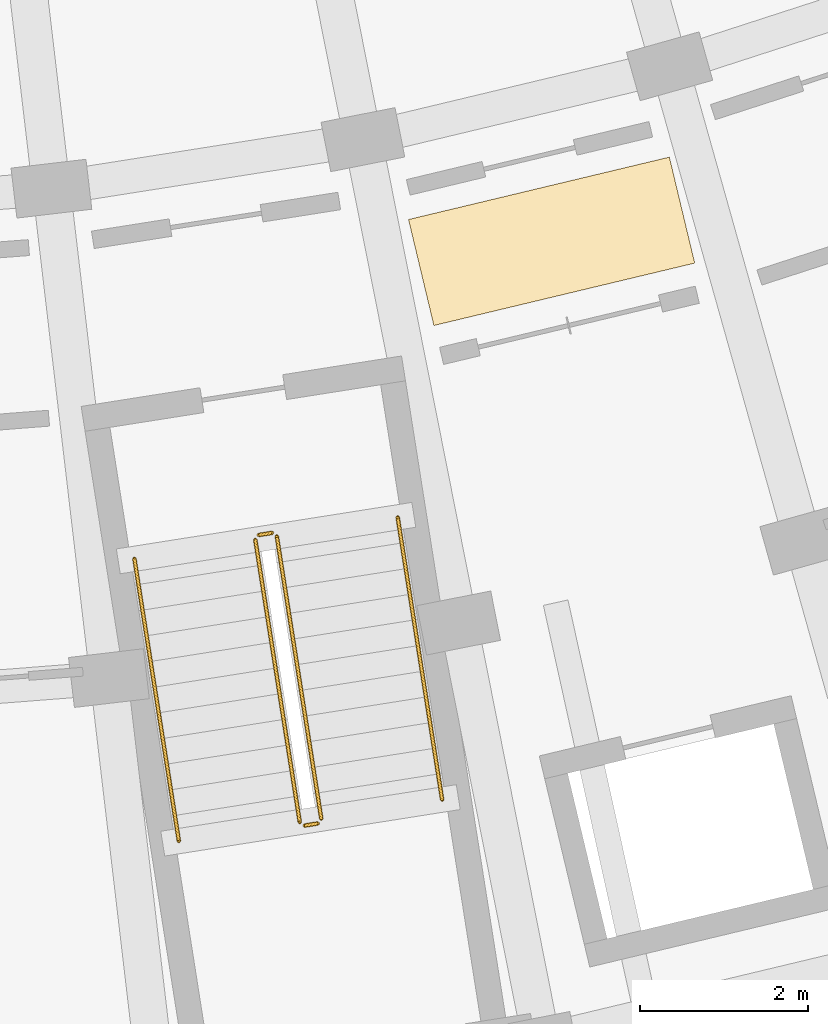
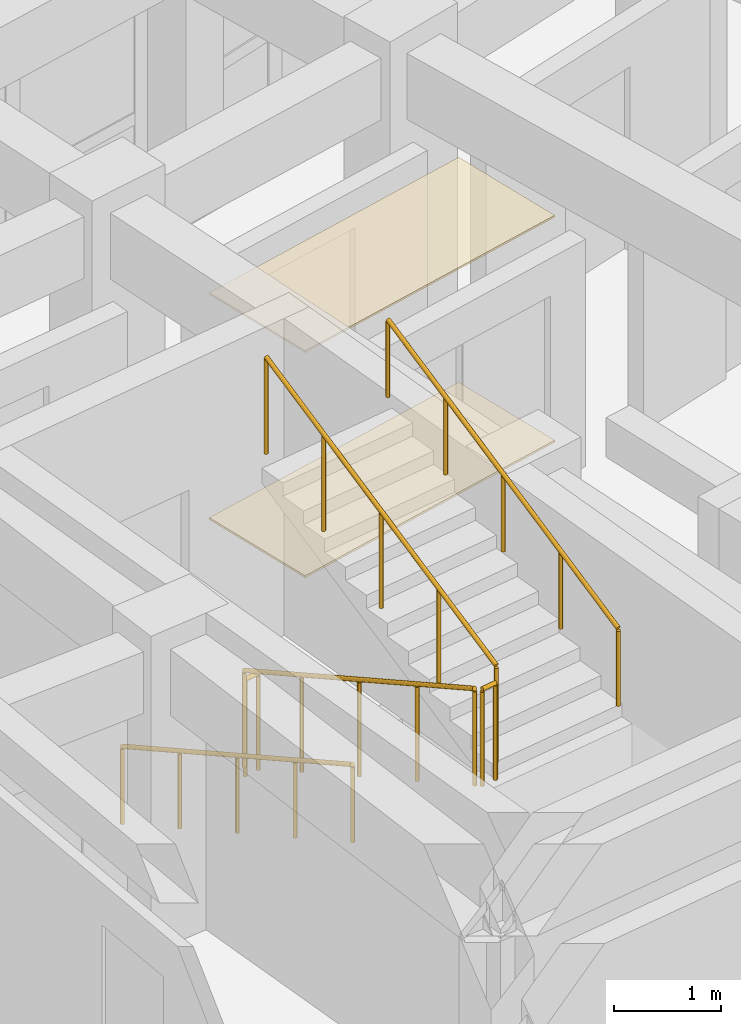
# One storey, part 81 of 83: 6 railings, 2 coverings.
"""IFC4 building model written with IfcOpenShell, lengths in metres."""

from ifc_helpers import new_model, si_unit, direction, frame, origin, origin_2d, place, context, subcontext, project, spatial, rectangle, circle, extrude, material, layer, layer_set, type_object, element, save


model = new_model("IFC4")

# Units and contexts
model_context = context("Model", 3, precision=1e-05, world=origin(), true_north=direction((0.0, 1.0)))
body_context = subcontext(model_context, "Body", "Model", "MODEL_VIEW")
ifc_project = project(units=[si_unit("LENGTHUNIT", "METRE"), si_unit("AREAUNIT", "SQUARE_METRE"), si_unit("VOLUMEUNIT", "CUBIC_METRE"), si_unit("PLANEANGLEUNIT", "RADIAN"), si_unit("MASSUNIT", "GRAM", prefix="KILO")], contexts=[model_context])

# Site, building, storey
site_placement = place(None, origin())
site = spatial("IfcSite", under=ifc_project, at=site_placement, CompositionType="ELEMENT")
building_placement = place(site_placement, origin())
building = spatial("IfcBuilding", under=site, at=building_placement, Name="Zimvara Arc Housing Community", CompositionType="ELEMENT")
storey_placement = place(building_placement, frame((0.0, 0.0, 4.5)))
storey = spatial("IfcBuildingStorey", under=building, at=storey_placement, Name="L01", CompositionType="ELEMENT", Elevation=4.5)

# Coverings
ifc_material_1 = material(Name="Perforated Acoustic Ceiling Board")
ifc_layer_1 = layer(ifc_material_1, 0.02197265625)
ifc_layer_set_1 = layer_set([ifc_layer_1], Name="Perforated Acoustic Ceiling Board")
covering_type_1 = type_object("IfcCoveringType", Name="COV-CEIL-02", PredefinedType="CEILING", material=ifc_layer_set_1)
covering_1_placement = place(storey_placement, frame((137.53955078125, 61.639404296875, 2.55810546875), z_axis=(0.0, 0.0, 1.0), x_axis=(0.232596722241, -0.972573269632, 0.0)))
element("IfcCovering", 1, at=covering_1_placement, inside=storey, type_object=covering_type_1, Name="ceil:blkD:L01", PredefinedType="CEILING", context=body_context, shape_type="SweptSolid", body=[
    extrude(rectangle(XDim=1.300048828125, YDim=3.199951171875, at=origin_2d()), origin(), (0.0, 0.0, 1.0), 0.02197265625),
])
ifc_material_2 = material(Name="Polished Coastal Sand Terrazzo")
ifc_layer_2 = layer(ifc_material_2, 0.02392578125)
ifc_layer_set_2 = layer_set([ifc_layer_2], Name="Polished Coastal Sand Terrazzo")
covering_type_2 = type_object("IfcCoveringType", Name="COV-FLOR-02", PredefinedType="FLOORING", material=ifc_layer_set_2)
covering_2_placement = place(storey_placement, frame((137.53955078125, 61.639404296875, 0.0), z_axis=(0.0, 0.0, 1.0), x_axis=(0.232596722241, -0.972573269632, 0.0)))
element("IfcCovering", 2, at=covering_2_placement, inside=storey, type_object=covering_type_2, Name="flor:blkD:L01", PredefinedType="FLOORING", context=body_context, shape_type="SweptSolid", body=[
    extrude(rectangle(XDim=1.300048828125, YDim=3.199951171875, at=origin_2d()), origin(), (0.0, 0.0, 1.0), 0.02392578125),
])

# Railings
ifc_material_3 = material(Name="Anodised Aluminium AW-6063", Category="aluminium")
railing_type_1 = type_object("IfcRailingType", Name="RLG-BAL-1120", PredefinedType="BALUSTRADE", material=ifc_material_3)
railing_1_placement = place(storey_placement, frame((134.003662109375, 58.077880859375, 0.14990234375)))
element("IfcRailing", 3, at=railing_1_placement, inside=storey, type_object=railing_type_1, Name="L01 ST-D1 stair guard 1", PredefinedType="BALUSTRADE", context=body_context, shape_type="SweptSolid", body=[
    extrude(circle(Radius=0.02392578125, at=origin_2d()), frame((0.0, 0.0, 1.09619140625), z_axis=(0.140036023164, -0.889193303089, 0.435574542367), x_axis=(0.987824997809, 0.155569192654, 0.0)), (0.0, 0.0, 1.0), 3.788330078125),
    extrude(circle(Radius=0.02099609375, at=origin_2d()), origin(), (0.0, 0.0, 1.0), 1.072021484375),
    extrude(circle(Radius=0.02099609375, at=origin_2d()), frame((0.132568359375, -0.84228515625, 0.41259765625)), (0.0, 0.0, 1.0), 1.072021484375),
    extrude(circle(Radius=0.02099609375, at=origin_2d()), frame((0.26513671875, -1.684326171875, 0.8251953125)), (0.0, 0.0, 1.0), 1.072021484375),
    extrude(circle(Radius=0.02099609375, at=origin_2d()), frame((0.39794921875, -2.5263671875, 1.237548828125)), (0.0, 0.0, 1.0), 1.072021484375),
    extrude(circle(Radius=0.02099609375, at=origin_2d()), frame((0.530517578125, -3.36865234375, 1.650146484375)), (0.0, 0.0, 1.0), 1.072021484375),
])
railing_2_placement = place(storey_placement, frame((134.59130859375, 54.667724609375, 1.800048828125)))
element("IfcRailing", 4, at=railing_2_placement, inside=storey, type_object=railing_type_1, Name="L01 ST-D1 stair guard 2", PredefinedType="BALUSTRADE", context=body_context, shape_type="SweptSolid", body=[
    extrude(circle(Radius=0.02392578125, at=origin_2d()), frame((0.0, 0.0, 1.09619140625), z_axis=(0.987800074219, 0.155727368733, 0.0), x_axis=(-0.155727368733, 0.987800074219, 0.0)), (0.0, 0.0, 1.0), 0.159912109375),
    extrude(circle(Radius=0.02099609375, at=origin_2d()), origin(), (0.0, 0.0, 1.0), 1.072021484375),
    extrude(circle(Radius=0.02099609375, at=origin_2d()), frame((0.157958984375, 0.02490234375, 0.0)), (0.0, 0.0, 1.0), 1.072021484375),
])
railing_3_placement = place(storey_placement, frame((134.791015625, 54.749755859375, 1.949951171875)))
element("IfcRailing", 5, at=railing_3_placement, inside=storey, type_object=railing_type_1, Name="L01 ST-D1 stair guard 3", PredefinedType="BALUSTRADE", context=body_context, shape_type="SweptSolid", body=[
    extrude(circle(Radius=0.02392578125, at=origin_2d()), frame((0.0, 0.0, 1.09619140625), z_axis=(-0.140044048026, 0.889179811603, 0.435599503271), x_axis=(-0.987823264975, -0.155580195317, 0.0)), (0.0, 0.0, 1.0), 3.788330078125),
    extrude(circle(Radius=0.02099609375, at=origin_2d()), origin(), (0.0, 0.0, 1.0), 1.072021484375),
    extrude(circle(Radius=0.02099609375, at=origin_2d()), frame((-0.132568359375, 0.842041015625, 0.41259765625)), (0.0, 0.0, 1.0), 1.072021484375),
    extrude(circle(Radius=0.02099609375, at=origin_2d()), frame((-0.26513671875, 1.68408203125, 0.8251953125)), (0.0, 0.0, 1.0), 1.072021484375),
    extrude(circle(Radius=0.02099609375, at=origin_2d()), frame((-0.39794921875, 2.5263671875, 1.237548828125)), (0.0, 0.0, 1.0), 1.072021484375),
    extrude(circle(Radius=0.02099609375, at=origin_2d()), frame((-0.530517578125, 3.368408203125, 1.650146484375)), (0.0, 0.0, 1.0), 1.072021484375),
])
railing_4_placement = place(storey_placement, frame((134.045166015625, 58.135009765625, 0.0)))
element("IfcRailing", 6, at=railing_4_placement, inside=storey, type_object=railing_type_1, Name="L01 ST-D1 stair guard 4", PredefinedType="BALUSTRADE", context=body_context, shape_type="SweptSolid", body=[
    extrude(circle(Radius=0.02392578125, at=origin_2d()), frame((0.0, 0.0, 1.09619140625), z_axis=(0.987800074219, 0.155727368733, 0.0), x_axis=(-0.155727368733, 0.987800074219, 0.0)), (0.0, 0.0, 1.0), 0.159912109375),
    extrude(circle(Radius=0.02099609375, at=origin_2d()), origin(), (0.0, 0.0, 1.0), 1.072021484375),
    extrude(circle(Radius=0.02099609375, at=origin_2d()), frame((0.157958984375, 0.02490234375, 0.0)), (0.0, 0.0, 1.0), 1.072021484375),
])
ifc_material_4 = material(Name="Anodised Aluminium AW-6063", Category="aluminium")
railing_type_2 = type_object("IfcRailingType", Name="RLG-HND-900", PredefinedType="HANDRAIL", material=ifc_material_4)
railing_5_placement = place(storey_placement, frame((132.561279296875, 57.8505859375, 0.14990234375)))
element("IfcRailing", 7, at=railing_5_placement, inside=storey, type_object=railing_type_2, Name="L01 ST-D1 stair handrail 1", PredefinedType="HANDRAIL", context=body_context, shape_type="SweptSolid", body=[
    extrude(circle(Radius=0.02392578125, at=origin_2d()), frame((0.0, 0.0, 0.8759765625), z_axis=(0.140044048026, -0.889179811603, 0.435599503271), x_axis=(0.987823264975, 0.155580195317, 0.0)), (0.0, 0.0, 1.0), 3.788330078125),
    extrude(circle(Radius=0.02099609375, at=origin_2d()), origin(), (0.0, 0.0, 1.0), 0.851806640625),
    extrude(circle(Radius=0.02099609375, at=origin_2d()), frame((0.132568359375, -0.842041015625, 0.41259765625)), (0.0, 0.0, 1.0), 0.851806640625),
    extrude(circle(Radius=0.02099609375, at=origin_2d()), frame((0.26513671875, -1.68408203125, 0.8251953125)), (0.0, 0.0, 1.0), 0.851806640625),
    extrude(circle(Radius=0.02099609375, at=origin_2d()), frame((0.39794921875, -2.5263671875, 1.237548828125)), (0.0, 0.0, 1.0), 0.851806640625),
    extrude(circle(Radius=0.02099609375, at=origin_2d()), frame((0.530517578125, -3.368408203125, 1.650146484375)), (0.0, 0.0, 1.0), 0.851806640625),
])
railing_6_placement = place(storey_placement, frame((136.233154296875, 54.976806640625, 1.949951171875)))
element("IfcRailing", 8, at=railing_6_placement, inside=storey, type_object=railing_type_2, Name="L01 ST-D1 stair handrail 2", PredefinedType="HANDRAIL", context=body_context, shape_type="SweptSolid", body=[
    extrude(circle(Radius=0.02392578125, at=origin_2d()), frame((0.0, 0.0, 0.8759765625), z_axis=(-0.140036023164, 0.889193303089, 0.435574542367), x_axis=(-0.987824997809, -0.155569192654, 0.0)), (0.0, 0.0, 1.0), 3.788330078125),
    extrude(circle(Radius=0.02099609375, at=origin_2d()), origin(), (0.0, 0.0, 1.0), 0.851806640625),
    extrude(circle(Radius=0.02099609375, at=origin_2d()), frame((-0.132568359375, 0.84228515625, 0.41259765625)), (0.0, 0.0, 1.0), 0.851806640625),
    extrude(circle(Radius=0.02099609375, at=origin_2d()), frame((-0.26513671875, 1.684326171875, 0.8251953125)), (0.0, 0.0, 1.0), 0.851806640625),
    extrude(circle(Radius=0.02099609375, at=origin_2d()), frame((-0.39794921875, 2.5263671875, 1.237548828125)), (0.0, 0.0, 1.0), 0.851806640625),
    extrude(circle(Radius=0.02099609375, at=origin_2d()), frame((-0.530517578125, 3.36865234375, 1.650146484375)), (0.0, 0.0, 1.0), 0.851806640625),
])

save(model, "model.ifc")
